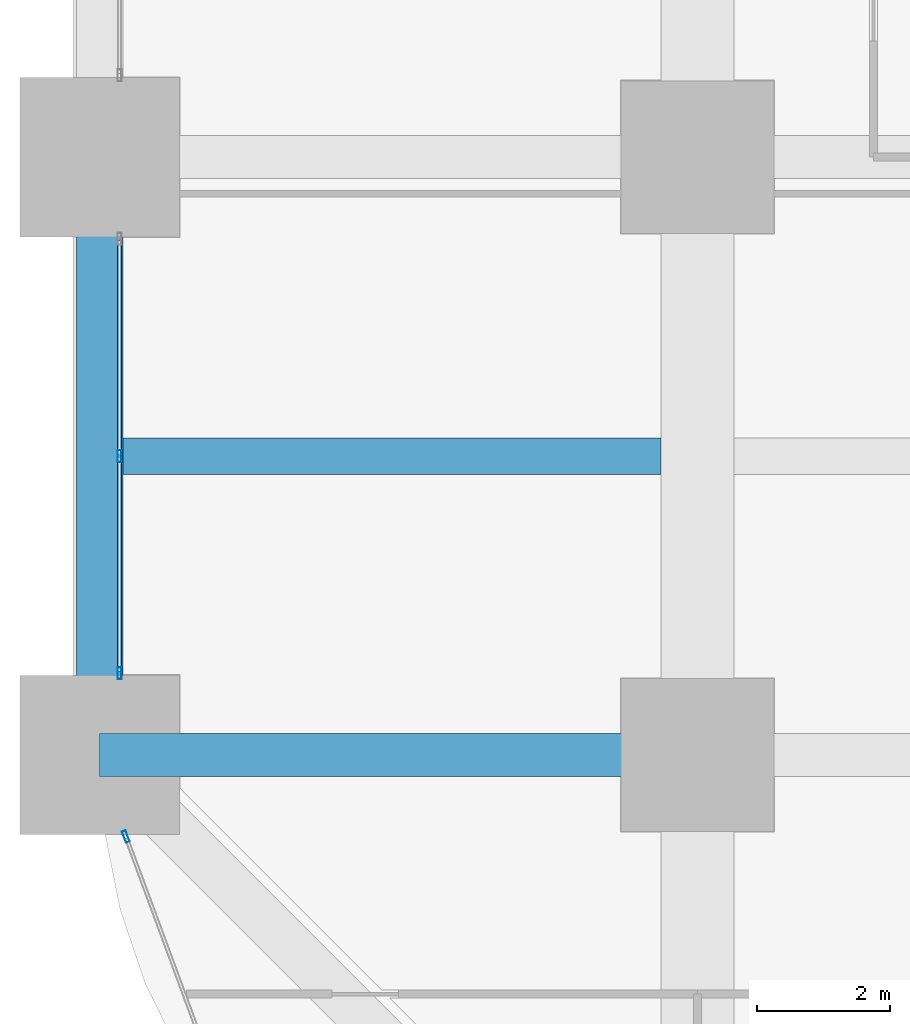
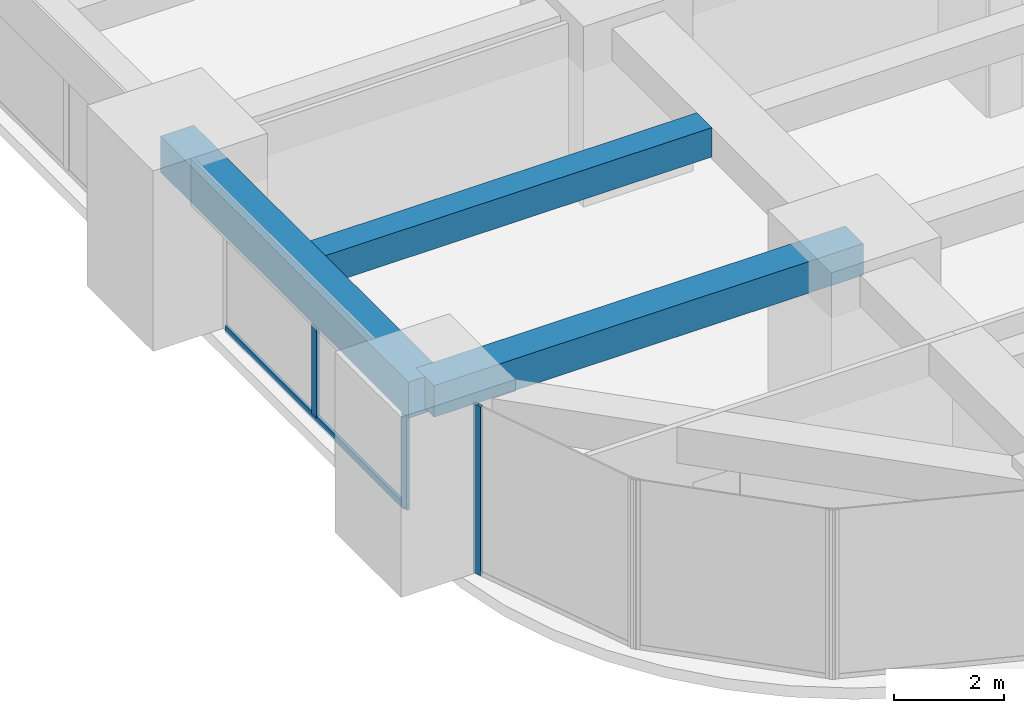
# One storey, part 4 of 45: 4 members, 3 beams, 2 elements without a shape of their own.
"""IFC4 building model written with IfcOpenShell, lengths in metres."""

from ifc_helpers import new_model, si_unit, direction, frame, origin, origin_2d, place, context, subcontext, project, spatial, rectangle, hollow_rectangle, extrude, material, material_profile, profile_set, type_object, element, aggregate, save


model = new_model("IFC4")

# Units and contexts
model_context = context("Model", 3, precision=1e-05, world=origin(), true_north=direction((0.0, 1.0)))
body_context = subcontext(model_context, "Body", "Model", "MODEL_VIEW")
ifc_project = project(units=[si_unit("LENGTHUNIT", "METRE"), si_unit("AREAUNIT", "SQUARE_METRE"), si_unit("VOLUMEUNIT", "CUBIC_METRE"), si_unit("PLANEANGLEUNIT", "RADIAN"), si_unit("MASSUNIT", "GRAM", prefix="KILO")], contexts=[model_context])

# Site, building, storey
site_placement = place(None, origin())
site = spatial("IfcSite", under=ifc_project, at=site_placement, CompositionType="ELEMENT")
building_placement = place(site_placement, origin())
building = spatial("IfcBuilding", under=site, at=building_placement, Name="Zorevar Civic Tower", CompositionType="ELEMENT")
storey_placement = place(building_placement, frame((0.0, 0.0, 39.800048828125)))
storey = spatial("IfcBuildingStorey", under=building, at=storey_placement, Name="L09", CompositionType="ELEMENT", Elevation=39.800048828125)

# Beams
ifc_material_1 = material(Name="Concrete C50/60", Category="concrete")
ifc_material_profile_1 = material_profile(ifc_material_1, rectangle(XDim=0.550048828125, YDim=0.64990234375, at=origin_2d()), Name="RC 550x650")
ifc_profile_set_1 = profile_set([ifc_material_profile_1], Name="Concrete C50/60")
beam_type_1 = type_object("IfcBeamType", Name="Beam RC 550x650", PredefinedType="BEAM", material=ifc_profile_set_1)
beam_1_placement = place(storey_placement, frame((0.35009765625, 13.5, 3.425048828125), z_axis=(1.0, 0.0, 0.0), x_axis=(0.0, 1.0, 0.0)))
element("IfcBeam", 1, at=beam_1_placement, inside=storey, type_object=beam_type_1, Name="Secondary beam L10", PredefinedType="BEAM", context=body_context, shape_type="SweptSolid", body=[
    extrude(rectangle(XDim=0.550048828125, YDim=0.64990234375, at=origin_2d()), origin(), (0.0, 0.0, 1.0), 8.099853515625),
])
ifc_material_2 = material(Name="Concrete C50/60", Category="concrete")
ifc_material_profile_2 = material_profile(ifc_material_2, rectangle(XDim=0.64990234375, YDim=0.699951171875, at=origin_2d()), Name="RC 650x700")
ifc_profile_set_2 = profile_set([ifc_material_profile_2], Name="Concrete C50/60")
beam_type_2 = type_object("IfcBeamType", Name="Beam RC 650x700", PredefinedType="BEAM", material=ifc_profile_set_2)
beam_2_placement = place(storey_placement, frame((0.0, 9.0, 3.39990234375), z_axis=(1.0, 0.0, 0.0), x_axis=(0.0, 1.0, 0.0)))
element("IfcBeam", 2, at=beam_2_placement, inside=storey, type_object=beam_type_2, Name="Girder L10", PredefinedType="BEAM", context=body_context, shape_type="SweptSolid", body=[
    extrude(rectangle(XDim=0.64990234375, YDim=0.699951171875, at=origin_2d()), origin(), (0.0, 0.0, 1.0), 9.0),
])

# Curtain wall, members
ifc_material_3 = material(Name="Dark grey solar-control glass in black aluminium frame", Category="aluminium")
curtain_wall_type = type_object("IfcCurtainWallType", Name="Curtain wall CW2 low zone", PredefinedType="NOTDEFINED", material=ifc_material_3)
curtain_wall_1_placement = place(storey_placement, origin())
curtain_wall_1 = element("IfcCurtainWall", 3, at=curtain_wall_1_placement, inside=storey, type_object=curtain_wall_type, Name="CW2 L09", PredefinedType="NOTDEFINED")
ifc_material_4 = material(Name="Aluminium, black anodised", Category="aluminium")
ifc_material_profile_3 = material_profile(ifc_material_4, hollow_rectangle(XDim=0.06005859375, YDim=0.179931640625, WallThickness=0.00390625, at=origin_2d()), Name="AL 180x60x4")
ifc_profile_set_3 = profile_set([ifc_material_profile_3], Name="Aluminium, black anodised")
member_type_1 = type_object("IfcMemberType", Name="CW2 mullion AL 180x60x4", PredefinedType="MULLION", material=ifc_profile_set_3)
member_1_placement = place(storey_placement, frame((0.300048828125, 10.22998046875, 0.0), z_axis=(0.0, 0.0, 1.0), x_axis=(-1.0, 0.0, 0.0)))
member_1 = element("IfcMember", 4, at=member_1_placement, type_object=member_type_1, Name="CW2 mullion 1", PredefinedType="MULLION", context=body_context, shape_type="SweptSolid", body=[
    extrude(hollow_rectangle(XDim=0.06005859375, YDim=0.179931640625, WallThickness=0.00390625, at=origin_2d()), origin(), (0.0, 0.0, 1.0), 2.949951171875),
])
member_2_placement = place(storey_placement, frame((0.300048828125, 13.5, 0.06005859375), z_axis=(0.0, 0.0, 1.0), x_axis=(-1.0, 0.0, 0.0)))
member_2 = element("IfcMember", 5, at=member_2_placement, type_object=member_type_1, Name="CW2 mullion 2", PredefinedType="MULLION", context=body_context, shape_type="SweptSolid", body=[
    extrude(hollow_rectangle(XDim=0.06005859375, YDim=0.179931640625, WallThickness=0.00390625, at=origin_2d()), origin(), (0.0, 0.0, 1.0), 2.889892578125),
])

# Curtain wall, member
curtain_wall_2_placement = place(storey_placement, origin())
curtain_wall_2 = element("IfcCurtainWall", 6, at=curtain_wall_2_placement, inside=storey, type_object=curtain_wall_type, Name="CW2 L09", PredefinedType="NOTDEFINED")
member_3_placement = place(storey_placement, frame((0.3935546875, 7.77197265625, 0.0), z_axis=(0.0, 0.0, 1.0), x_axis=(0.937974588163, 0.346704012033, 0.0)))
member_3 = element("IfcMember", 7, at=member_3_placement, type_object=member_type_1, Name="CW2 mullion 1", PredefinedType="MULLION", context=body_context, shape_type="SweptSolid", body=[
    extrude(hollow_rectangle(XDim=0.06005859375, YDim=0.179931640625, WallThickness=0.00390625, at=origin_2d()), origin(), (0.0, 0.0, 1.0), 3.75),
])
aggregate(curtain_wall_2, [member_3])

# Member
ifc_material_5 = material(Name="Aluminium, black anodised", Category="aluminium")
ifc_material_profile_4 = material_profile(ifc_material_5, hollow_rectangle(XDim=0.06005859375, YDim=0.14990234375, WallThickness=0.00390625, at=origin_2d()), Name="AL 150x60x4")
ifc_profile_set_4 = profile_set([ifc_material_profile_4], Name="Aluminium, black anodised")
member_type_2 = type_object("IfcMemberType", Name="CW2 transom AL 150x60x4", PredefinedType="USERDEFINED", material=ifc_profile_set_4)
member_4_placement = place(storey_placement, frame((0.300048828125, 10.260009765625, 0.030029296875), z_axis=(0.0, 1.0, 0.0), x_axis=(-1.0, 0.0, 0.0)))
member_4 = element("IfcMember", 8, at=member_4_placement, type_object=member_type_2, Name="CW2 sill transom", ObjectType="TRANSOM", PredefinedType="USERDEFINED", context=body_context, shape_type="SweptSolid", body=[
    extrude(hollow_rectangle(XDim=0.06005859375, YDim=0.14990234375, WallThickness=0.00390625, at=origin_2d()), origin(), (0.0, 0.0, 1.0), 6.47998046875),
])

aggregate(curtain_wall_1, [member_1, member_2, member_4])

# Beam
ifc_material_6 = material(Name="Concrete C50/60", Category="concrete")
ifc_material_profile_5 = material_profile(ifc_material_6, rectangle(XDim=0.699951171875, YDim=0.800048828125, at=origin_2d()), Name="RC 700x800")
ifc_profile_set_5 = profile_set([ifc_material_profile_5], Name="Concrete C50/60")
beam_type_3 = type_object("IfcBeamType", Name="Edge beam RC 700x800", PredefinedType="SPANDREL", material=ifc_profile_set_5)
beam_3_placement = place(storey_placement, frame((0.0, 9.0, 3.349853515625), z_axis=(0.0, 1.0, 0.0), x_axis=(-1.0, 0.0, 0.0)))
element("IfcBeam", 9, at=beam_3_placement, inside=storey, type_object=beam_type_3, Name="Edge beam L10", PredefinedType="SPANDREL", context=body_context, shape_type="SweptSolid", body=[
    extrude(rectangle(XDim=0.699951171875, YDim=0.800048828125, at=origin_2d()), origin(), (0.0, 0.0, 1.0), 9.0),
])

save(model, "model.ifc")
